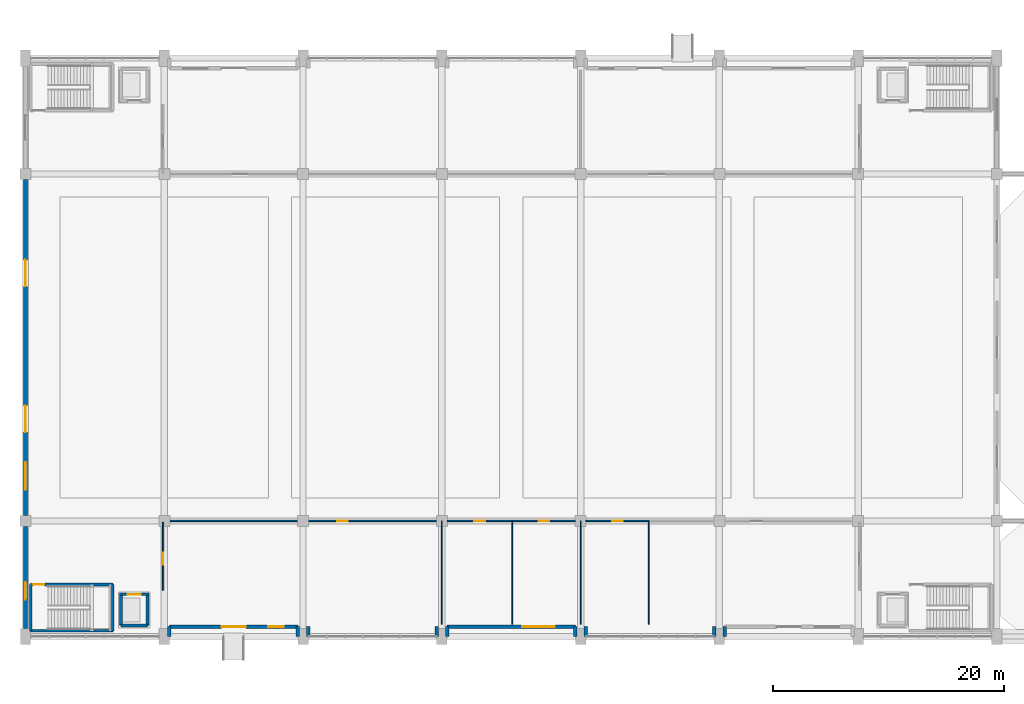
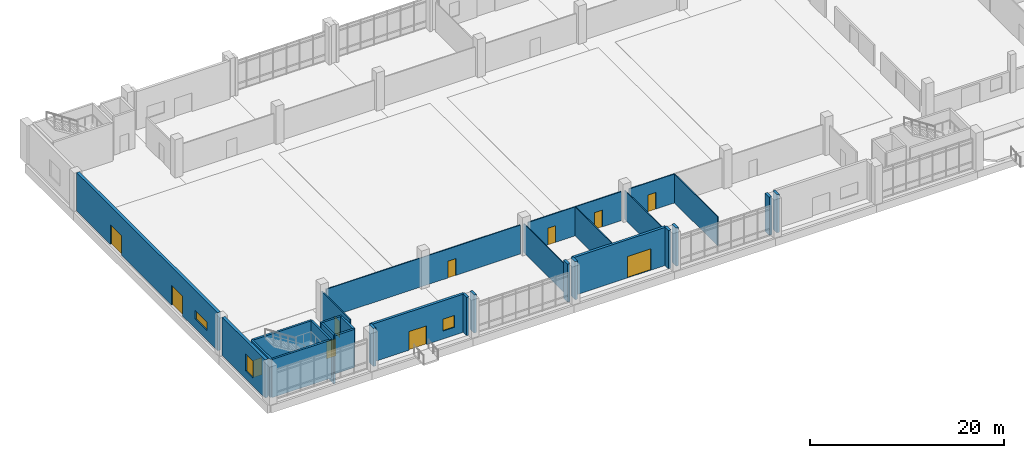
# One storey, part 69 of 87: 30 walls, 11 doors, 3 windows, 14 openings.
"""IFC4 building model written with IfcOpenShell, lengths in metres."""

from ifc_helpers import new_model, si_unit, direction, frame, frame_2d, origin, place, context, subcontext, project, spatial, rectangle, extrude, material, layer, layer_set, type_object, element, fill, save


model = new_model("IFC4")

# Units and contexts
model_context = context("Model", 3, precision=1e-05, world=origin(), true_north=direction((0.0, 1.0)))
body_context = subcontext(model_context, "Body", "Model", "MODEL_VIEW")
ifc_project = project(units=[si_unit("LENGTHUNIT", "METRE"), si_unit("AREAUNIT", "SQUARE_METRE"), si_unit("VOLUMEUNIT", "CUBIC_METRE"), si_unit("PLANEANGLEUNIT", "RADIAN"), si_unit("MASSUNIT", "GRAM", prefix="KILO")], contexts=[model_context])

# Site, building, storey
site_placement = place(None, origin())
site = spatial("IfcSite", under=ifc_project, at=site_placement, CompositionType="ELEMENT")
building_placement = place(site_placement, origin())
building = spatial("IfcBuilding", under=site, at=building_placement, Name="Mersad Railyard Sports Hall", CompositionType="ELEMENT")
storey_placement = place(building_placement, origin())
storey = spatial("IfcBuildingStorey", under=building, at=storey_placement, Name="L00", CompositionType="ELEMENT", Elevation=0.0)

# Walls
ifc_material_1 = material(Name="Architectural concrete C40/50", Category="concrete")
ifc_layer_1 = layer(ifc_material_1, 0.300048828125)
ifc_layer_set_1 = layer_set([ifc_layer_1], Name="Architectural concrete C40/50")
wall_type_1 = type_object("IfcWallType", Name="ARC-WL-EW01", PredefinedType="SOLIDWALL", material=ifc_layer_set_1)
for number, where, z_axis, x_axis, name in (
    (1, (19.449951171875, 3.5, 0.0), (0.0, 0.0, 1.0), (0.0, 1.0, 0.0), "External wall EW01-0007"),
    (2, (30.550048828125, 4.35009765625, 0.0), (0.0, 0.0, 1.0), (0.0, -1.0, 0.0), "External wall EW01-0008"),
):
    element("IfcWall", number, at=place(storey_placement, frame(where, z_axis=z_axis, x_axis=x_axis)), inside=storey, type_object=wall_type_1, Name=name, PredefinedType="SOLIDWALL", context=body_context, shape_type="SweptSolid", body=[
        extrude(rectangle(XDim=0.85009765625, YDim=0.300048828125, at=frame_2d((0.425048828125, 0.0))), origin(), (0.0, 0.0, 1.0), 4.800048828125),
    ])

# Wall, openings, door, window
wall_1_placement = place(storey_placement, frame((30.550048828125, 4.35009765625, 0.0), z_axis=(0.0, 0.0, 1.0), x_axis=(-1.0, 0.0, 0.0)))
wall_1 = element("IfcWall", 3, at=wall_1_placement, inside=storey, type_object=wall_type_1, Name="External wall EW01-0015", PredefinedType="SOLIDWALL", context=body_context, shape_type="SweptSolid", body=[
    extrude(rectangle(XDim=11.10009765625, YDim=0.300048828125, at=frame_2d((5.550048828125, 0.0))), origin(), (0.0, 0.0, 1.0), 4.800048828125),
])
opening_1_placement = place(wall_1_placement, frame((4.5, 0.0, 0.0)))
opening_1 = element("IfcOpeningElement", 4, at=opening_1_placement, cuts=wall_1, Name="Opening ED02", PredefinedType="OPENING", context=body_context, shape_type="SweptSolid", body=[
    extrude(rectangle(XDim=2.10009765625, YDim=2.35009765625, at=frame_2d((1.050048828125, 1.175048828125))), frame((0.0, 0.159912109375, 0.0), z_axis=(0.0, -1.0, 0.0), x_axis=(1.0, 0.0, 0.0)), (0.0, 0.0, 1.0), 0.320068359375),
])
opening_2_placement = place(wall_1_placement, frame((1.199951171875, 0.0, 1.0)))
opening_2 = element("IfcOpeningElement", 5, at=opening_2_placement, cuts=wall_1, Name="Opening W02", PredefinedType="OPENING", context=body_context, shape_type="SweptSolid", body=[
    extrude(rectangle(XDim=1.35009765625, YDim=1.5, at=frame_2d((0.675048828125, 0.75))), frame((0.0, 0.159912109375, 0.0), z_axis=(0.0, -1.0, 0.0), x_axis=(1.0, 0.0, 0.0)), (0.0, 0.0, 1.0), 0.320068359375),
])
ifc_material_2 = material(Name="Aluminium 6063-T6", Category="aluminium")
door_type_1 = type_object("IfcDoorType", Name="ARC-DR-ED02", OperationType="NOTDEFINED", PredefinedType="DOOR", material=ifc_material_2)
door_1_placement = place(opening_1_placement, origin())
door_1 = element("IfcDoor", 6, at=door_1_placement, inside=storey, type_object=door_type_1, Name="Pedestrian exit door ED02-001", OperationType="DOUBLE_DOOR_SINGLE_SWING", OverallHeight=2.35009765625, OverallWidth=2.10009765625, PredefinedType="DOOR", context=body_context, shape_type="SweptSolid", body=[
    extrude(rectangle(XDim=2.10009765625, YDim=2.35009765625, at=frame_2d((1.050048828125, 1.175048828125))), frame((0.0, 0.02490234375, 0.0), z_axis=(0.0, -1.0, 0.0), x_axis=(1.0, 0.0, 0.0)), (0.0, 0.0, 1.0), 0.050048828125),
])
fill(opening_1, door_1)
ifc_material_3 = material(Name="Solar-control glass", Category="glass")
window_type_1 = type_object("IfcWindowType", Name="ARC-WN-W02", PartitioningType="SINGLE_PANEL", PredefinedType="WINDOW", material=ifc_material_3)
window_1_placement = place(opening_2_placement, origin())
window_1 = element("IfcWindow", 7, at=window_1_placement, inside=storey, type_object=window_type_1, Name="Window W02-0001", OverallHeight=1.5, OverallWidth=1.35009765625, PartitioningType="SINGLE_PANEL", PredefinedType="WINDOW", context=body_context, shape_type="SweptSolid", body=[
    extrude(rectangle(XDim=1.35009765625, YDim=1.5, at=frame_2d((0.675048828125, 0.75))), frame((0.0, 0.030029296875, 0.0), z_axis=(0.0, -1.0, 0.0), x_axis=(1.0, 0.0, 0.0)), (0.0, 0.0, 1.0), 0.06005859375),
])
fill(opening_2, window_1)

# Walls
for number, where, z_axis, x_axis, name in (
    (8, (31.449951171875, 3.5, 0.0), (0.0, 0.0, 1.0), (0.0, 1.0, 0.0), "External wall EW01-0017"),
    (9, (42.550048828125, 4.35009765625, 0.0), (0.0, 0.0, 1.0), (0.0, -1.0, 0.0), "External wall EW01-0018"),
    (10, (43.449951171875, 3.5, 0.0), (0.0, 0.0, 1.0), (0.0, 1.0, 0.0), "External wall EW01-0025"),
    (11, (54.550048828125, 4.35009765625, 0.0), (0.0, 0.0, 1.0), (0.0, -1.0, 0.0), "External wall EW01-0026"),
):
    element("IfcWall", number, at=place(storey_placement, frame(where, z_axis=z_axis, x_axis=x_axis)), inside=storey, type_object=wall_type_1, Name=name, PredefinedType="SOLIDWALL", context=body_context, shape_type="SweptSolid", body=[
        extrude(rectangle(XDim=0.85009765625, YDim=0.300048828125, at=frame_2d((0.425048828125, 0.0))), origin(), (0.0, 0.0, 1.0), 4.800048828125),
    ])

# Wall, opening, door
wall_2_placement = place(storey_placement, frame((54.550048828125, 4.35009765625, 0.0), z_axis=(0.0, 0.0, 1.0), x_axis=(-1.0, 0.0, 0.0)))
wall_2 = element("IfcWall", 12, at=wall_2_placement, inside=storey, type_object=wall_type_1, Name="External wall EW01-0033", PredefinedType="SOLIDWALL", context=body_context, shape_type="SweptSolid", body=[
    extrude(rectangle(XDim=11.10009765625, YDim=0.300048828125, at=frame_2d((5.550048828125, 0.0))), origin(), (0.0, 0.0, 1.0), 4.800048828125),
])
opening_3_placement = place(wall_2_placement, frame((1.800048828125, 0.0, 0.0)))
opening_3 = element("IfcOpeningElement", 13, at=opening_3_placement, cuts=wall_2, Name="Opening GT01", PredefinedType="OPENING", context=body_context, shape_type="SweptSolid", body=[
    extrude(rectangle(XDim=2.800048828125, YDim=2.699951171875, at=frame_2d((1.39990234375, 1.35009765625))), frame((0.0, 0.159912109375, 0.0), z_axis=(0.0, -1.0, 0.0), x_axis=(1.0, 0.0, 0.0)), (0.0, 0.0, 1.0), 0.320068359375),
])
ifc_material_4 = material(Name="Steel S355", Category="steel")
door_type_2 = type_object("IfcDoorType", Name="ARC-DR-GT01", OperationType="NOTDEFINED", PredefinedType="GATE", material=ifc_material_4)
door_2_placement = place(opening_3_placement, origin())
door_2 = element("IfcDoor", 14, at=door_2_placement, inside=storey, type_object=door_type_2, Name="Court equipment gate GT01-003", OperationType="DOUBLE_DOOR_SINGLE_SWING", OverallHeight=2.699951171875, OverallWidth=2.800048828125, PredefinedType="GATE", context=body_context, shape_type="SweptSolid", body=[
    extrude(rectangle(XDim=2.800048828125, YDim=2.699951171875, at=frame_2d((1.39990234375, 1.35009765625))), frame((0.0, 0.02490234375, 0.0), z_axis=(0.0, -1.0, 0.0), x_axis=(1.0, 0.0, 0.0)), (0.0, 0.0, 1.0), 0.050048828125),
])
fill(opening_3, door_2)

# Walls
for number, where, z_axis, x_axis, name in (
    (15, (55.449951171875, 3.5, 0.0), (0.0, 0.0, 1.0), (0.0, 1.0, 0.0), "External wall EW01-0034"),
    (16, (66.550048828125, 4.35009765625, 0.0), (0.0, 0.0, 1.0), (0.0, -1.0, 0.0), "External wall EW01-0035"),
    (17, (67.449951171875, 3.5, 0.0), (0.0, 0.0, 1.0), (0.0, 1.0, 0.0), "External wall EW01-0043"),
):
    element("IfcWall", number, at=place(storey_placement, frame(where, z_axis=z_axis, x_axis=x_axis)), inside=storey, type_object=wall_type_1, Name=name, PredefinedType="SOLIDWALL", context=body_context, shape_type="SweptSolid", body=[
        extrude(rectangle(XDim=0.85009765625, YDim=0.300048828125, at=frame_2d((0.425048828125, 0.0))), origin(), (0.0, 0.0, 1.0), 4.800048828125),
    ])

# Wall, opening, window
ifc_material_5 = material(Name="Architectural concrete C50/60", Category="concrete")
ifc_layer_2 = layer(ifc_material_5, 0.35009765625)
ifc_layer_set_2 = layer_set([ifc_layer_2], Name="Architectural concrete C50/60")
wall_type_2 = type_object("IfcWallType", Name="ARC-WL-EW02", PredefinedType="SOLIDWALL", material=ifc_layer_set_2)
wall_3_placement = place(storey_placement, frame((7.0, 4.199951171875, 0.0), z_axis=(0.0, 0.0, 1.0), x_axis=(0.0, 1.0, 0.0)))
wall_3 = element("IfcWall", 18, at=wall_3_placement, inside=storey, type_object=wall_type_2, Name="External wall EW02-0053", PredefinedType="SOLIDWALL", context=body_context, shape_type="SweptSolid", body=[
    extrude(rectangle(XDim=8.824951171875, YDim=0.35009765625, at=frame_2d((4.41259765625, 0.0))), origin(), (0.0, 0.0, 1.0), 4.800048828125),
])
opening_4_placement = place(wall_3_placement, frame((2.5, 0.0, 1.0)))
opening_4 = element("IfcOpeningElement", 19, at=opening_4_placement, cuts=wall_3, Name="Opening W17", PredefinedType="OPENING", context=body_context, shape_type="SweptSolid", body=[
    extrude(rectangle(XDim=1.5, YDim=2.10009765625, at=frame_2d((0.75, 1.050048828125))), frame((0.0, 0.18505859375, 0.0), z_axis=(0.0, -1.0, 0.0), x_axis=(1.0, 0.0, 0.0)), (0.0, 0.0, 1.0), 0.3701171875),
])
window_type_2 = type_object("IfcWindowType", Name="ARC-WN-W17", PartitioningType="SINGLE_PANEL", PredefinedType="WINDOW", material=ifc_material_3)
window_2_placement = place(opening_4_placement, origin())
window_2 = element("IfcWindow", 20, at=window_2_placement, inside=storey, type_object=window_type_2, Name="Window W17-0005", OverallHeight=2.10009765625, OverallWidth=1.5, PartitioningType="SINGLE_PANEL", PredefinedType="WINDOW", context=body_context, shape_type="SweptSolid", body=[
    extrude(rectangle(XDim=1.5, YDim=2.10009765625, at=frame_2d((0.75, 1.050048828125))), frame((0.0, 0.030029296875, 0.0), z_axis=(0.0, -1.0, 0.0), x_axis=(1.0, 0.0, 0.0)), (0.0, 0.0, 1.0), 0.06005859375),
])
fill(opening_4, window_2)

# Wall, openings, doors, window
wall_4_placement = place(storey_placement, frame((7.0, 13.97509765625, 0.0), z_axis=(0.0, 0.0, 1.0), x_axis=(0.0, 1.0, 0.0)))
wall_4 = element("IfcWall", 21, at=wall_4_placement, inside=storey, type_object=wall_type_2, Name="External wall EW02-0054", PredefinedType="SOLIDWALL", context=body_context, shape_type="SweptSolid", body=[
    extrude(rectangle(XDim=29.0498046875, YDim=0.35009765625, at=frame_2d((14.52490234375, 0.0))), origin(), (0.0, 0.0, 1.0), 4.800048828125),
])
opening_5_placement = place(wall_4_placement, frame((7.199951171875, 0.0, 0.0)))
opening_5 = element("IfcOpeningElement", 22, at=opening_5_placement, cuts=wall_4, Name="Opening ED04", PredefinedType="OPENING", context=body_context, shape_type="SweptSolid", body=[
    extrude(rectangle(XDim=2.300048828125, YDim=2.5, at=frame_2d((1.14990234375, 1.25))), frame((0.0, 0.18505859375, 0.0), z_axis=(0.0, -1.0, 0.0), x_axis=(1.0, 0.0, 0.0)), (0.0, 0.0, 1.0), 0.3701171875),
])
opening_6_placement = place(wall_4_placement, frame((19.800048828125, 0.0, 0.0)))
opening_6 = element("IfcOpeningElement", 23, at=opening_6_placement, cuts=wall_4, Name="Opening ED04", PredefinedType="OPENING", context=body_context, shape_type="SweptSolid", body=[
    extrude(rectangle(XDim=2.300048828125, YDim=2.5, at=frame_2d((1.14990234375, 1.25))), frame((0.0, 0.18505859375, 0.0), z_axis=(0.0, -1.0, 0.0), x_axis=(1.0, 0.0, 0.0)), (0.0, 0.0, 1.0), 0.3701171875),
])
opening_7_placement = place(wall_4_placement, frame((2.199951171875, 0.0, 1.199951171875)))
opening_7 = element("IfcOpeningElement", 24, at=opening_7_placement, cuts=wall_4, Name="Opening W23", PredefinedType="OPENING", context=body_context, shape_type="SweptSolid", body=[
    extrude(rectangle(XDim=2.39990234375, YDim=1.10009765625, at=frame_2d((1.199951171875, 0.550048828125))), frame((0.0, 0.18505859375, 0.0), z_axis=(0.0, -1.0, 0.0), x_axis=(1.0, 0.0, 0.0)), (0.0, 0.0, 1.0), 0.3701171875),
])
door_type_3 = type_object("IfcDoorType", Name="ARC-DR-ED04", OperationType="NOTDEFINED", PredefinedType="DOOR", material=ifc_material_2)
door_3_placement = place(opening_5_placement, origin())
door_3 = element("IfcDoor", 25, at=door_3_placement, inside=storey, type_object=door_type_3, Name="Pedestrian exit door ED04-007", OperationType="DOUBLE_DOOR_SINGLE_SWING", OverallHeight=2.5, OverallWidth=2.300048828125, PredefinedType="DOOR", context=body_context, shape_type="SweptSolid", body=[
    extrude(rectangle(XDim=2.300048828125, YDim=2.5, at=frame_2d((1.14990234375, 1.25))), frame((0.0, 0.02490234375, 0.0), z_axis=(0.0, -1.0, 0.0), x_axis=(1.0, 0.0, 0.0)), (0.0, 0.0, 1.0), 0.050048828125),
])
fill(opening_5, door_3)
door_4_placement = place(opening_6_placement, origin())
door_4 = element("IfcDoor", 26, at=door_4_placement, inside=storey, type_object=door_type_3, Name="Pedestrian exit door ED04-008", OperationType="DOUBLE_DOOR_SINGLE_SWING", OverallHeight=2.5, OverallWidth=2.300048828125, PredefinedType="DOOR", context=body_context, shape_type="SweptSolid", body=[
    extrude(rectangle(XDim=2.300048828125, YDim=2.5, at=frame_2d((1.14990234375, 1.25))), frame((0.0, 0.02490234375, 0.0), z_axis=(0.0, -1.0, 0.0), x_axis=(1.0, 0.0, 0.0)), (0.0, 0.0, 1.0), 0.050048828125),
])
fill(opening_6, door_4)
window_type_3 = type_object("IfcWindowType", Name="ARC-WN-W23", PartitioningType="DOUBLE_PANEL_VERTICAL", PredefinedType="WINDOW", material=ifc_material_3)
window_3_placement = place(opening_7_placement, origin())
window_3 = element("IfcWindow", 27, at=window_3_placement, inside=storey, type_object=window_type_3, Name="Window W23-0006", OverallHeight=1.10009765625, OverallWidth=2.39990234375, PartitioningType="DOUBLE_PANEL_VERTICAL", PredefinedType="WINDOW", context=body_context, shape_type="SweptSolid", body=[
    extrude(rectangle(XDim=2.39990234375, YDim=1.10009765625, at=frame_2d((1.199951171875, 0.550048828125))), frame((0.0, 0.030029296875, 0.0), z_axis=(0.0, -1.0, 0.0), x_axis=(1.0, 0.0, 0.0)), (0.0, 0.0, 1.0), 0.06005859375),
])
fill(opening_7, window_3)

# Wall, opening, door
ifc_material_6 = material(Name="Gypsum plasterboard", Category="gypsum")
ifc_layer_3 = layer(ifc_material_6, 0.139892578125)
ifc_layer_set_3 = layer_set([ifc_layer_3], Name="Gypsum plasterboard")
wall_type_3 = type_object("IfcWallType", Name="ARC-WL-PT03", PredefinedType="PARTITIONING", material=ifc_layer_set_3)
wall_5_placement = place(storey_placement, frame((18.89990234375, 7.5, 0.0), z_axis=(0.0, 0.0, 1.0), x_axis=(0.0, 1.0, 0.0)))
wall_5 = element("IfcWall", 28, at=wall_5_placement, inside=storey, type_object=wall_type_3, Name="Interior wall PT03-0302", PredefinedType="PARTITIONING", context=body_context, shape_type="SweptSolid", body=[
    extrude(rectangle(XDim=5.89990234375, YDim=0.139892578125, at=frame_2d((2.949951171875, 0.0))), origin(), (0.0, 0.0, 1.0), 3.64501953125),
])
opening_8_placement = place(wall_5_placement, frame((2.199951171875, 0.0, 0.0)))
opening_8 = element("IfcOpeningElement", 29, at=opening_8_placement, cuts=wall_5, Name="Opening FD07", PredefinedType="OPENING", context=body_context, shape_type="SweptSolid", body=[
    extrude(rectangle(XDim=1.050048828125, YDim=2.10009765625, at=frame_2d((0.52490234375, 1.050048828125))), frame((0.0, 0.079833984375, 0.0), z_axis=(0.0, -1.0, 0.0), x_axis=(1.0, 0.0, 0.0)), (0.0, 0.0, 1.0), 0.159912109375),
])
door_type_4 = type_object("IfcDoorType", Name="ARC-DR-FD07", OperationType="NOTDEFINED", PredefinedType="DOOR", material=ifc_material_4)
door_5_placement = place(opening_8_placement, origin())
door_5 = element("IfcDoor", 30, at=door_5_placement, inside=storey, type_object=door_type_4, Name="SW lift lobby door FD07-0138", OperationType="SINGLE_SWING_LEFT", OverallHeight=2.10009765625, OverallWidth=1.050048828125, PredefinedType="DOOR", context=body_context, shape_type="SweptSolid", body=[
    extrude(rectangle(XDim=1.050048828125, YDim=2.10009765625, at=frame_2d((0.52490234375, 1.050048828125))), frame((0.0, 0.02490234375, 0.0), z_axis=(0.0, -1.0, 0.0), x_axis=(1.0, 0.0, 0.0)), (0.0, 0.0, 1.0), 0.050048828125),
])
fill(opening_8, door_5)

ifc_layer_4 = layer(ifc_material_6, 0.1201171875)
ifc_layer_set_4 = layer_set([ifc_layer_4], Name="Gypsum plasterboard")
wall_type_4 = type_object("IfcWallType", Name="ARC-WL-PT04", PredefinedType="PARTITIONING", material=ifc_layer_set_4)
wall_6_placement = place(storey_placement, frame((19.449951171875, 13.5, 0.0), z_axis=(0.0, 0.0, 1.0), x_axis=(1.0, 0.0, 0.0)))
wall_6 = element("IfcWall", 31, at=wall_6_placement, inside=storey, type_object=wall_type_4, Name="Interior wall PT04-0528", PredefinedType="PARTITIONING", context=body_context, shape_type="SweptSolid", body=[
    extrude(rectangle(XDim=23.10009765625, YDim=0.1201171875, at=frame_2d((11.550048828125, 0.0))), origin(), (0.0, 0.0, 1.0), 3.64501953125),
])
opening_9_placement = place(wall_6_placement, frame((14.489990234375, 0.0, 0.0)))
opening_9 = element("IfcOpeningElement", 32, at=opening_9_placement, cuts=wall_6, Name="Opening ID01", PredefinedType="OPENING", context=body_context, shape_type="SweptSolid", body=[
    extrude(rectangle(XDim=0.919921875, YDim=2.10009765625, at=frame_2d((0.4599609375, 1.050048828125))), frame((0.0, 0.070068359375, 0.0), z_axis=(0.0, -1.0, 0.0), x_axis=(1.0, 0.0, 0.0)), (0.0, 0.0, 1.0), 0.14013671875),
])
door_type_5 = type_object("IfcDoorType", Name="ARC-DR-ID01", OperationType="NOTDEFINED", PredefinedType="DOOR", material=ifc_material_2)
door_6_placement = place(opening_9_placement, origin())
door_6 = element("IfcDoor", 33, at=door_6_placement, inside=storey, type_object=door_type_5, Name="Plinth south hall door ID01-0238", OperationType="SINGLE_SWING_RIGHT", OverallHeight=2.10009765625, OverallWidth=0.919921875, PredefinedType="DOOR", context=body_context, shape_type="SweptSolid", body=[
    extrude(rectangle(XDim=0.919921875, YDim=2.10009765625, at=frame_2d((0.4599609375, 1.050048828125))), frame((0.0, 0.02490234375, 0.0), z_axis=(0.0, -1.0, 0.0), x_axis=(1.0, 0.0, 0.0)), (0.0, 0.0, 1.0), 0.050048828125),
])
fill(opening_9, door_6)

wall_7_placement = place(storey_placement, frame((43.449951171875, 13.5, 0.0), z_axis=(0.0, 0.0, 1.0), x_axis=(1.0, 0.0, 0.0)))
wall_7 = element("IfcWall", 34, at=wall_7_placement, inside=storey, type_object=wall_type_4, Name="Interior wall PT04-0529", PredefinedType="PARTITIONING", context=body_context, shape_type="SweptSolid", body=[
    extrude(rectangle(XDim=5.650146484375, YDim=0.1201171875, at=frame_2d((2.8251953125, 0.0))), origin(), (0.0, 0.0, 1.0), 3.64501953125),
])
opening_10_placement = place(wall_7_placement, frame((2.364990234375, 0.0, 0.0)))
opening_10 = element("IfcOpeningElement", 35, at=opening_10_placement, cuts=wall_7, Name="Opening ID01", PredefinedType="OPENING", context=body_context, shape_type="SweptSolid", body=[
    extrude(rectangle(XDim=0.919921875, YDim=2.10009765625, at=frame_2d((0.4599609375, 1.050048828125))), frame((0.0, 0.070068359375, 0.0), z_axis=(0.0, -1.0, 0.0), x_axis=(1.0, 0.0, 0.0)), (0.0, 0.0, 1.0), 0.14013671875),
])
door_7_placement = place(opening_10_placement, origin())
door_7 = element("IfcDoor", 36, at=door_7_placement, inside=storey, type_object=door_type_5, Name="Plinth south hall door ID01-0239", OperationType="SINGLE_SWING_LEFT", OverallHeight=2.10009765625, OverallWidth=0.919921875, PredefinedType="DOOR", context=body_context, shape_type="SweptSolid", body=[
    extrude(rectangle(XDim=0.919921875, YDim=2.10009765625, at=frame_2d((0.4599609375, 1.050048828125))), frame((0.0, 0.02490234375, 0.0), z_axis=(0.0, -1.0, 0.0), x_axis=(1.0, 0.0, 0.0)), (0.0, 0.0, 1.0), 0.050048828125),
])
fill(opening_10, door_7)

wall_8_placement = place(storey_placement, frame((49.10009765625, 13.5, 0.0), z_axis=(0.0, 0.0, 1.0), x_axis=(1.0, 0.0, 0.0)))
wall_8 = element("IfcWall", 37, at=wall_8_placement, inside=storey, type_object=wall_type_4, Name="Interior wall PT04-0531", PredefinedType="PARTITIONING", context=body_context, shape_type="SweptSolid", body=[
    extrude(rectangle(XDim=5.449951171875, YDim=0.1201171875, at=frame_2d((2.72509765625, 0.0))), origin(), (0.0, 0.0, 1.0), 3.64501953125),
])
opening_11_placement = place(wall_8_placement, frame((2.264892578125, 0.0, 0.0)))
opening_11 = element("IfcOpeningElement", 38, at=opening_11_placement, cuts=wall_8, Name="Opening ID01", PredefinedType="OPENING", context=body_context, shape_type="SweptSolid", body=[
    extrude(rectangle(XDim=0.919921875, YDim=2.10009765625, at=frame_2d((0.4599609375, 1.050048828125))), frame((0.0, 0.070068359375, 0.0), z_axis=(0.0, -1.0, 0.0), x_axis=(1.0, 0.0, 0.0)), (0.0, 0.0, 1.0), 0.14013671875),
])
door_8_placement = place(opening_11_placement, origin())
door_8 = element("IfcDoor", 39, at=door_8_placement, inside=storey, type_object=door_type_5, Name="Plinth south hall door ID01-0240", OperationType="SINGLE_SWING_RIGHT", OverallHeight=2.10009765625, OverallWidth=0.919921875, PredefinedType="DOOR", context=body_context, shape_type="SweptSolid", body=[
    extrude(rectangle(XDim=0.919921875, YDim=2.10009765625, at=frame_2d((0.4599609375, 1.050048828125))), frame((0.0, 0.02490234375, 0.0), z_axis=(0.0, -1.0, 0.0), x_axis=(1.0, 0.0, 0.0)), (0.0, 0.0, 1.0), 0.050048828125),
])
fill(opening_11, door_8)

wall_9_placement = place(storey_placement, frame((55.449951171875, 13.5, 0.0), z_axis=(0.0, 0.0, 1.0), x_axis=(1.0, 0.0, 0.0)))
wall_9 = element("IfcWall", 40, at=wall_9_placement, inside=storey, type_object=wall_type_4, Name="Interior wall PT04-0533", PredefinedType="PARTITIONING", context=body_context, shape_type="SweptSolid", body=[
    extrude(rectangle(XDim=5.449951171875, YDim=0.1201171875, at=frame_2d((2.72509765625, 0.0))), origin(), (0.0, 0.0, 1.0), 3.64501953125),
])
opening_12_placement = place(wall_9_placement, frame((2.264892578125, 0.0, 0.0)))
opening_12 = element("IfcOpeningElement", 41, at=opening_12_placement, cuts=wall_9, Name="Opening ID01", PredefinedType="OPENING", context=body_context, shape_type="SweptSolid", body=[
    extrude(rectangle(XDim=0.919921875, YDim=2.10009765625, at=frame_2d((0.4599609375, 1.050048828125))), frame((0.0, 0.070068359375, 0.0), z_axis=(0.0, -1.0, 0.0), x_axis=(1.0, 0.0, 0.0)), (0.0, 0.0, 1.0), 0.14013671875),
])
door_9_placement = place(opening_12_placement, origin())
door_9 = element("IfcDoor", 42, at=door_9_placement, inside=storey, type_object=door_type_5, Name="Plinth south hall door ID01-0241", OperationType="SINGLE_SWING_LEFT", OverallHeight=2.10009765625, OverallWidth=0.919921875, PredefinedType="DOOR", context=body_context, shape_type="SweptSolid", body=[
    extrude(rectangle(XDim=0.919921875, YDim=2.10009765625, at=frame_2d((0.4599609375, 1.050048828125))), frame((0.0, 0.02490234375, 0.0), z_axis=(0.0, -1.0, 0.0), x_axis=(1.0, 0.0, 0.0)), (0.0, 0.0, 1.0), 0.050048828125),
])
fill(opening_12, door_9)

# Walls
ifc_layer_5 = layer(ifc_material_6, 0.10009765625)
ifc_layer_set_5 = layer_set([ifc_layer_5], Name="Gypsum plasterboard")
wall_type_5 = type_object("IfcWallType", Name="ARC-WL-PT05", PredefinedType="PARTITIONING", material=ifc_layer_set_5)
for number, where, z_axis, x_axis, name in (
    (43, (43.0, 4.550048828125, 0.0), (0.0, 0.0, 1.0), (0.0, 1.0, 0.0), "Interior wall PT05-0530"),
    (44, (49.10009765625, 4.550048828125, 0.0), (0.0, 0.0, 1.0), (0.0, 1.0, 0.0), "Interior wall PT05-0532"),
    (45, (55.0, 4.550048828125, 0.0), (0.0, 0.0, 1.0), (0.0, 1.0, 0.0), "Interior wall PT05-0534"),
    (46, (60.89990234375, 4.550048828125, 0.0), (0.0, 0.0, 1.0), (0.0, 1.0, 0.0), "Interior wall PT05-0536"),
):
    element("IfcWall", number, at=place(storey_placement, frame(where, z_axis=z_axis, x_axis=x_axis)), inside=storey, type_object=wall_type_5, Name=name, PredefinedType="PARTITIONING", context=body_context, shape_type="SweptSolid", body=[
        extrude(rectangle(XDim=8.949951171875, YDim=0.10009765625, at=frame_2d((4.47509765625, 0.0))), origin(), (0.0, 0.0, 1.0), 3.64501953125),
    ])
ifc_material_7 = material(Name="Concrete C40/50", Category="concrete")
ifc_layer_6 = layer(ifc_material_7, 0.239990234375)
ifc_layer_set_6 = layer_set([ifc_layer_6], Name="Concrete C40/50")
wall_type_6 = type_object("IfcWallType", Name="STR-WL-SW03", PredefinedType="SHEAR", material=ifc_layer_set_6)
wall_10_placement = place(storey_placement, frame((15.25, 4.449951171875, -1.300048828125), z_axis=(0.0, 0.0, 1.0), x_axis=(0.0, 1.0, 0.0)))
element("IfcWall", 47, at=wall_10_placement, inside=storey, type_object=wall_type_6, Name="Lift PL-07 west shaft wall L00", PredefinedType="SHEAR", context=body_context, shape_type="SweptSolid", body=[
    extrude(rectangle(XDim=2.699951171875, YDim=0.239990234375, at=frame_2d((1.35009765625, 0.0))), origin(), (0.0, 0.0, 1.0), 6.10009765625),
])
wall_11_placement = place(storey_placement, frame((17.550048828125, 7.14990234375, 0.0), z_axis=(0.0, 0.0, 1.0), x_axis=(0.0, -1.0, 0.0)))
element("IfcWall", 48, at=wall_11_placement, inside=storey, type_object=wall_type_6, Name="Interior wall SW03-0107", PredefinedType="SHEAR", context=body_context, shape_type="SweptSolid", body=[
    extrude(rectangle(XDim=2.699951171875, YDim=0.239990234375, at=frame_2d((1.35009765625, 0.0))), origin(), (0.0, 0.0, 1.0), 4.800048828125),
])
wall_12_placement = place(storey_placement, frame((17.550048828125, 4.449951171875, 0.0), z_axis=(0.0, 0.0, 1.0), x_axis=(-1.0, 0.0, 0.0)))
element("IfcWall", 49, at=wall_12_placement, inside=storey, type_object=wall_type_6, Name="Interior wall SW03-0108", PredefinedType="SHEAR", context=body_context, shape_type="SweptSolid", body=[
    extrude(rectangle(XDim=2.300048828125, YDim=0.239990234375, at=frame_2d((1.14990234375, 0.0))), origin(), (0.0, 0.0, 1.0), 4.800048828125),
])

# Wall, opening, door
wall_13_placement = place(storey_placement, frame((15.1298828125, 7.14990234375, 0.0), z_axis=(0.0, 0.0, 1.0), x_axis=(1.0, 0.0, 0.0)))
wall_13 = element("IfcWall", 50, at=wall_13_placement, inside=storey, type_object=wall_type_6, Name="Interior wall SW03-0109", PredefinedType="SHEAR", context=body_context, shape_type="SweptSolid", body=[
    extrude(rectangle(XDim=2.5400390625, YDim=0.239990234375, at=frame_2d((1.27001953125, 0.0))), origin(), (0.0, 0.0, 1.0), 4.800048828125),
])
opening_13_placement = place(wall_13_placement, frame((0.719970703125, 0.0, 0.0)))
opening_13 = element("IfcOpeningElement", 51, at=opening_13_placement, cuts=wall_13, Name="Opening LD01", PredefinedType="OPENING", context=body_context, shape_type="SweptSolid", body=[
    extrude(rectangle(XDim=1.10009765625, YDim=2.14990234375, at=frame_2d((0.550048828125, 1.074951171875))), frame((0.0, 0.1298828125, 0.0), z_axis=(0.0, -1.0, 0.0), x_axis=(1.0, 0.0, 0.0)), (0.0, 0.0, 1.0), 0.260009765625),
])
door_type_6 = type_object("IfcDoorType", Name="ARC-DR-LD01", OperationType="NOTDEFINED", PredefinedType="USERDEFINED", material=ifc_material_4)
door_10_placement = place(opening_13_placement, origin())
door_10 = element("IfcDoor", 52, at=door_10_placement, inside=storey, type_object=door_type_6, Name="Lift PL-07 landing door LD01-0029", ObjectType="LANDING DOOR", OperationType="DOUBLE_DOOR_SLIDING", OverallHeight=2.14990234375, OverallWidth=1.10009765625, PredefinedType="USERDEFINED", context=body_context, shape_type="SweptSolid", body=[
    extrude(rectangle(XDim=1.10009765625, YDim=2.14990234375, at=frame_2d((0.550048828125, 1.074951171875))), frame((0.0, 0.02490234375, 0.0), z_axis=(0.0, -1.0, 0.0), x_axis=(1.0, 0.0, 0.0)), (0.0, 0.0, 1.0), 0.050048828125),
])
fill(opening_13, door_10)

# Walls
for number, where, z_axis, x_axis, name in (
    (53, (7.449951171875, 4.0, 0.0), (0.0, 0.0, 1.0), (0.0, 1.0, 0.0), "Interior wall SW03-0298"),
    (54, (14.550048828125, 4.0, 0.0), (0.0, 0.0, 1.0), (0.0, 1.0, 0.0), "Interior wall SW03-0299"),
):
    element("IfcWall", number, at=place(storey_placement, frame(where, z_axis=z_axis, x_axis=x_axis)), inside=storey, type_object=wall_type_6, Name=name, PredefinedType="SHEAR", context=body_context, shape_type="SweptSolid", body=[
        extrude(rectangle(XDim=4.0, YDim=0.239990234375, at=frame_2d((2.0, 0.0))), origin(), (0.0, 0.0, 1.0), 4.800048828125),
    ])
wall_14_placement = place(storey_placement, frame((7.449951171875, 4.0, 0.0), z_axis=(0.0, 0.0, 1.0), x_axis=(1.0, 0.0, 0.0)))
element("IfcWall", 55, at=wall_14_placement, inside=storey, type_object=wall_type_6, Name="Interior wall SW03-0300", PredefinedType="SHEAR", context=body_context, shape_type="SweptSolid", body=[
    extrude(rectangle(XDim=7.10009765625, YDim=0.239990234375, at=frame_2d((3.550048828125, 0.0))), origin(), (0.0, 0.0, 1.0), 4.800048828125),
])

# Wall, opening, door
wall_15_placement = place(storey_placement, frame((7.449951171875, 8.0, 0.0), z_axis=(0.0, 0.0, 1.0), x_axis=(1.0, 0.0, 0.0)))
wall_15 = element("IfcWall", 56, at=wall_15_placement, inside=storey, type_object=wall_type_6, Name="Interior wall SW03-0301", PredefinedType="SHEAR", context=body_context, shape_type="SweptSolid", body=[
    extrude(rectangle(XDim=7.10009765625, YDim=0.239990234375, at=frame_2d((3.550048828125, 0.0))), origin(), (0.0, 0.0, 1.0), 4.800048828125),
])
opening_14_placement = place(wall_15_placement, frame((0.179931640625, 0.0, 0.0)))
opening_14 = element("IfcOpeningElement", 57, at=opening_14_placement, cuts=wall_15, Name="Opening FD02", PredefinedType="OPENING", context=body_context, shape_type="SweptSolid", body=[
    extrude(rectangle(XDim=1.0, YDim=2.14990234375, at=frame_2d((0.5, 1.074951171875))), frame((0.0, 0.1298828125, 0.0), z_axis=(0.0, -1.0, 0.0), x_axis=(1.0, 0.0, 0.0)), (0.0, 0.0, 1.0), 0.260009765625),
])
door_type_7 = type_object("IfcDoorType", Name="ARC-DR-FD02", OperationType="NOTDEFINED", PredefinedType="DOOR", material=ifc_material_4)
door_11_placement = place(opening_14_placement, origin())
door_11 = element("IfcDoor", 58, at=door_11_placement, inside=storey, type_object=door_type_7, Name="SW pavilion stair door FD02-0137", OperationType="SINGLE_SWING_RIGHT", OverallHeight=2.14990234375, OverallWidth=1.0, PredefinedType="DOOR", context=body_context, shape_type="SweptSolid", body=[
    extrude(rectangle(XDim=1.0, YDim=2.14990234375, at=frame_2d((0.5, 1.074951171875))), frame((0.0, 0.02490234375, 0.0), z_axis=(0.0, -1.0, 0.0), x_axis=(1.0, 0.0, 0.0)), (0.0, 0.0, 1.0), 0.050048828125),
])
fill(opening_14, door_11)

save(model, "model.ifc")
